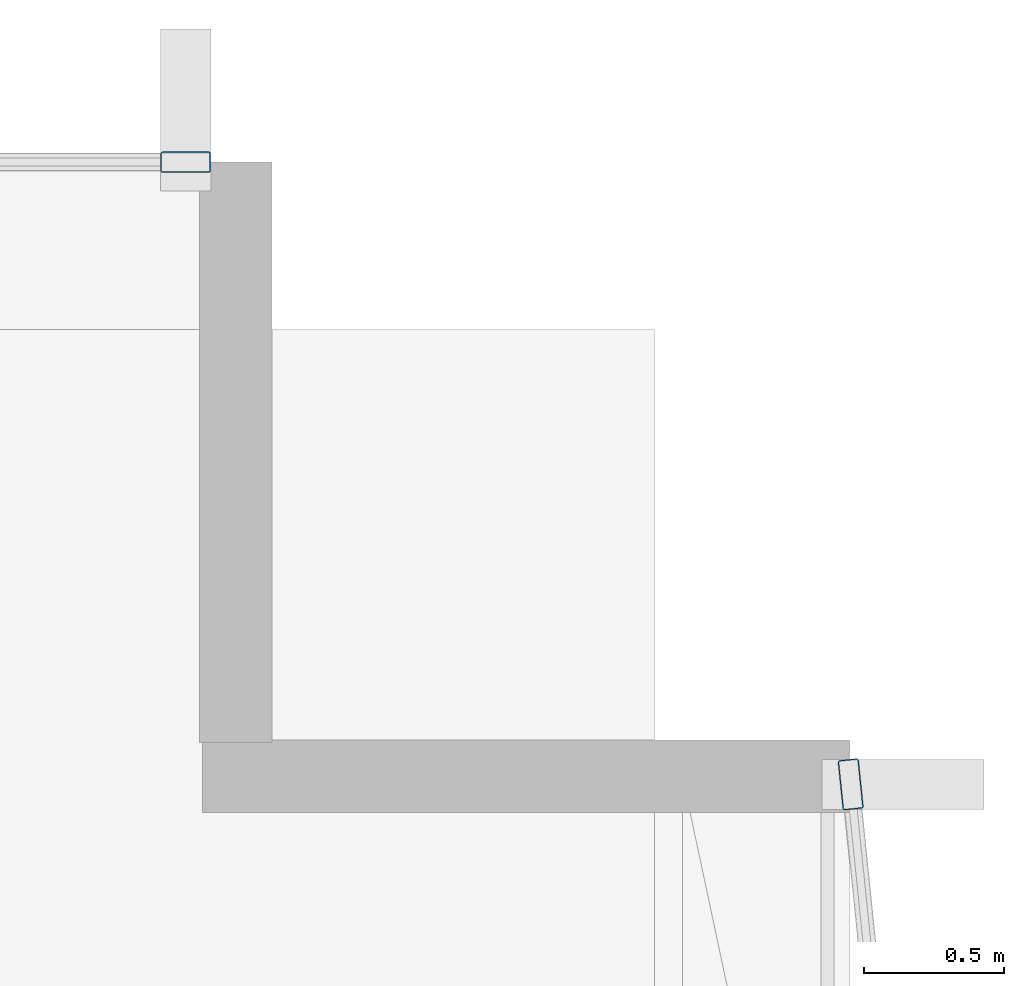
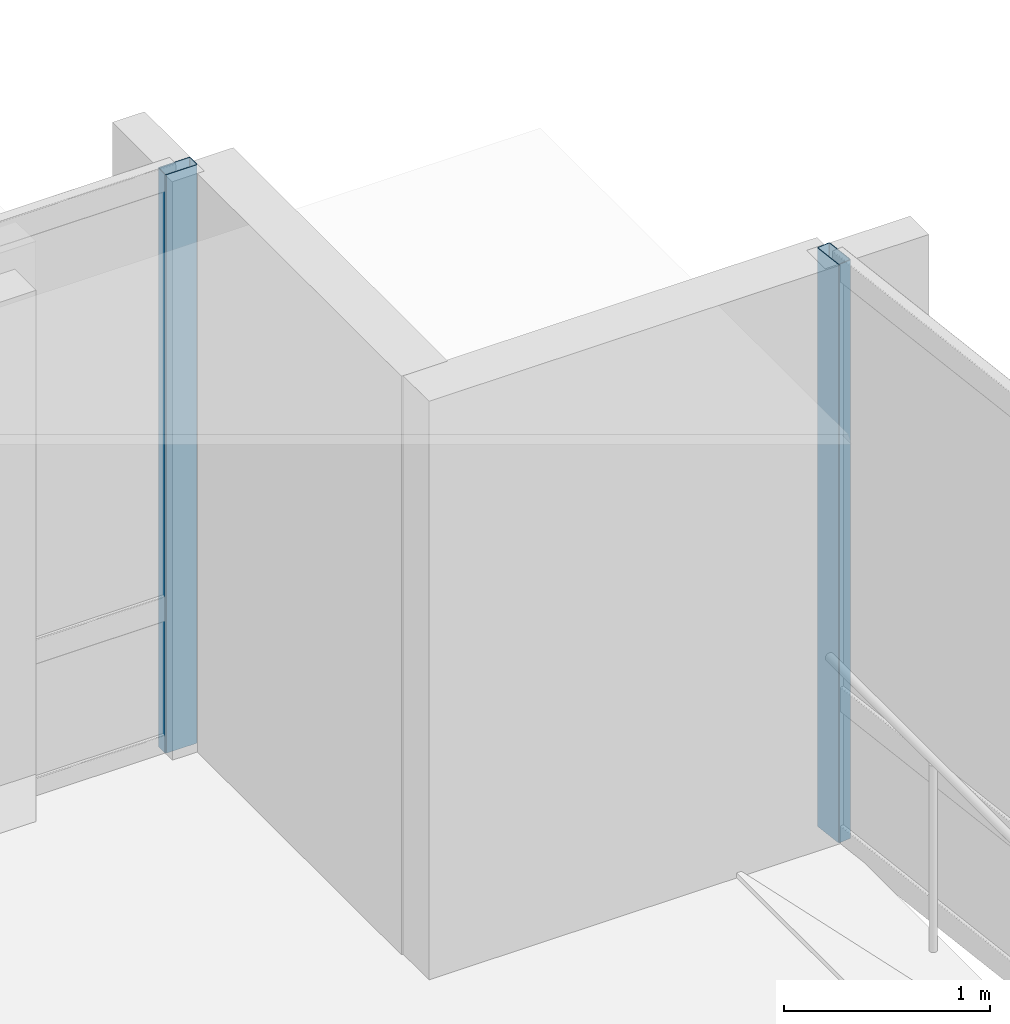
# One storey, part 17 of 34: 2 members, 2 elements without a shape of their own.
"""IFC4 building model written with IfcOpenShell, lengths in metres."""

from ifc_helpers import new_model, si_unit, direction, frame, origin, origin_2d, place, context, subcontext, project, spatial, hollow_rectangle, extrude, material, layer, layer_set, material_profile, profile_set, type_object, element, aggregate, save


model = new_model("IFC4")

# Units and contexts
model_context = context("Model", 3, precision=1e-05, world=origin(), true_north=direction((0.0, 1.0)))
body_context = subcontext(model_context, "Body", "Model", "MODEL_VIEW")
ifc_project = project(units=[si_unit("LENGTHUNIT", "METRE"), si_unit("AREAUNIT", "SQUARE_METRE"), si_unit("VOLUMEUNIT", "CUBIC_METRE"), si_unit("PLANEANGLEUNIT", "RADIAN"), si_unit("MASSUNIT", "GRAM", prefix="KILO")], contexts=[model_context])

# Site, building, storey
site_placement = place(None, origin())
site = spatial("IfcSite", under=ifc_project, at=site_placement, CompositionType="ELEMENT")
building_placement = place(site_placement, origin())
building = spatial("IfcBuilding", under=site, at=building_placement, Name="Solvaryn Broadcast Tower", CompositionType="ELEMENT")
storey_placement = place(building_placement, frame((0.0, 0.0, 43.39990234375)))
storey = spatial("IfcBuildingStorey", under=building, at=storey_placement, Name="L09", CompositionType="ELEMENT", Elevation=43.39990234375)

# Curtain wall, member
ifc_material_1 = material(Name="Aluminium and Terracotta Unitised Curtain Wall", Category="masonry")
ifc_layer = layer(ifc_material_1, 0.199951171875)
ifc_layer_set = layer_set([ifc_layer], Name="CW-SYS2-LOWMID")
curtain_wall_type = type_object("IfcCurtainWallType", Name="CW-SYS2-LOWMID", PredefinedType="NOTDEFINED", material=ifc_layer_set)
curtain_wall_1_placement = place(storey_placement, origin())
curtain_wall_1 = element("IfcCurtainWall", 1, at=curtain_wall_1_placement, inside=storey, type_object=curtain_wall_type, Name="L09 Curtain Wall ET1", PredefinedType="NOTDEFINED")
ifc_material_2 = material(Name="Anodised Aluminium 6063-T6", Category="aluminium")
ifc_material_profile = material_profile(ifc_material_2, hollow_rectangle(XDim=0.074951171875, YDim=0.179931640625, WallThickness=0.00390625, InnerFilletRadius=0.00390625, OuterFilletRadius=0.008056640625, at=origin_2d()))
ifc_profile_set = profile_set([ifc_material_profile], Name="Anodised Aluminium 6063-T6")
member_type = type_object("IfcMemberType", Name="CW-MUL-180", PredefinedType="MULLION", material=ifc_profile_set)
member_1_placement = place(storey_placement, frame((63.003173828125, 24.770263671875, 0.0), z_axis=(0.0, 0.0, 1.0), x_axis=(0.99474329889, 0.10240004548, 0.0)))
member_1 = element("IfcMember", 2, at=member_1_placement, type_object=member_type, Name="CWS2 mullion 1", PredefinedType="MULLION", context=body_context, shape_type="SweptSolid", body=[
    extrude(hollow_rectangle(XDim=0.074951171875, YDim=0.179931640625, WallThickness=0.00390625, InnerFilletRadius=0.00390625, OuterFilletRadius=0.008056640625, at=origin_2d()), origin(), (0.0, 0.0, 1.0), 3.420166015625),
])
aggregate(curtain_wall_1, [member_1])

curtain_wall_2_placement = place(storey_placement, origin())
curtain_wall_2 = element("IfcCurtainWall", 3, at=curtain_wall_2_placement, inside=storey, type_object=curtain_wall_type, Name="L09 Curtain Wall IH", PredefinedType="NOTDEFINED")
member_2_placement = place(storey_placement, frame((60.6201171875, 27.0, 0.0), z_axis=(0.0, 0.0, 1.0), x_axis=(0.0, 1.0, 0.0)))
member_2 = element("IfcMember", 4, at=member_2_placement, type_object=member_type, Name="CWS2 mullion 2", PredefinedType="MULLION", context=body_context, shape_type="SweptSolid", body=[
    extrude(hollow_rectangle(XDim=0.074951171875, YDim=0.179931640625, WallThickness=0.00390625, InnerFilletRadius=0.00390625, OuterFilletRadius=0.008056640625, at=origin_2d()), origin(), (0.0, 0.0, 1.0), 3.420166015625),
])
aggregate(curtain_wall_2, [member_2])

save(model, "model.ifc")
